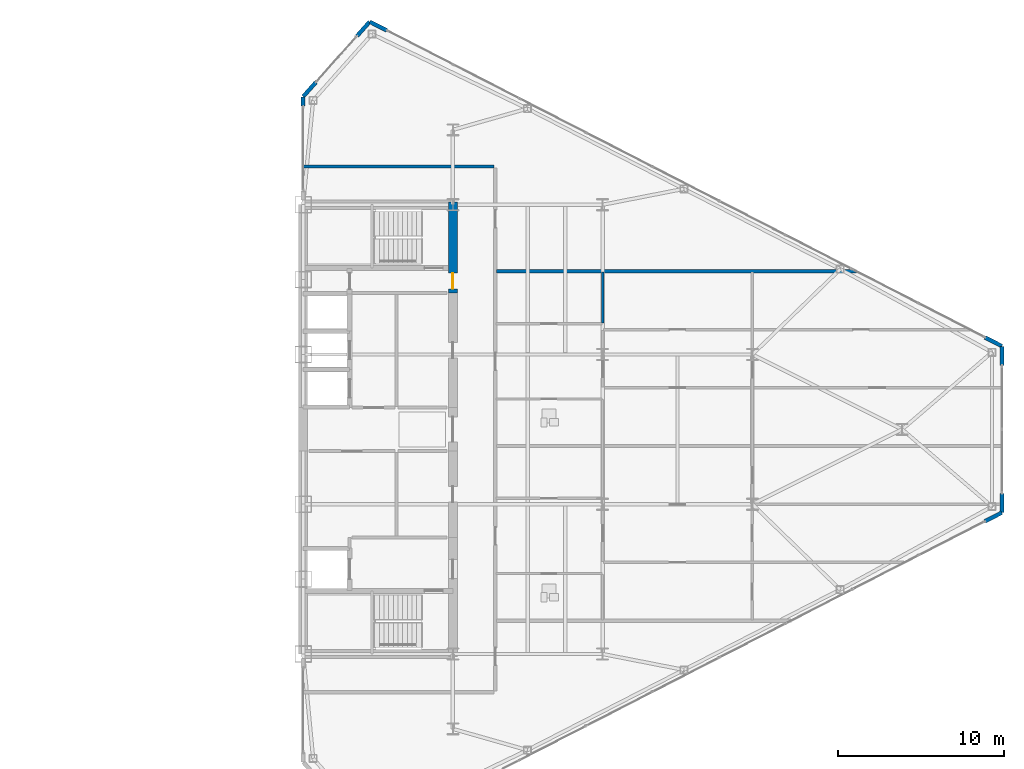
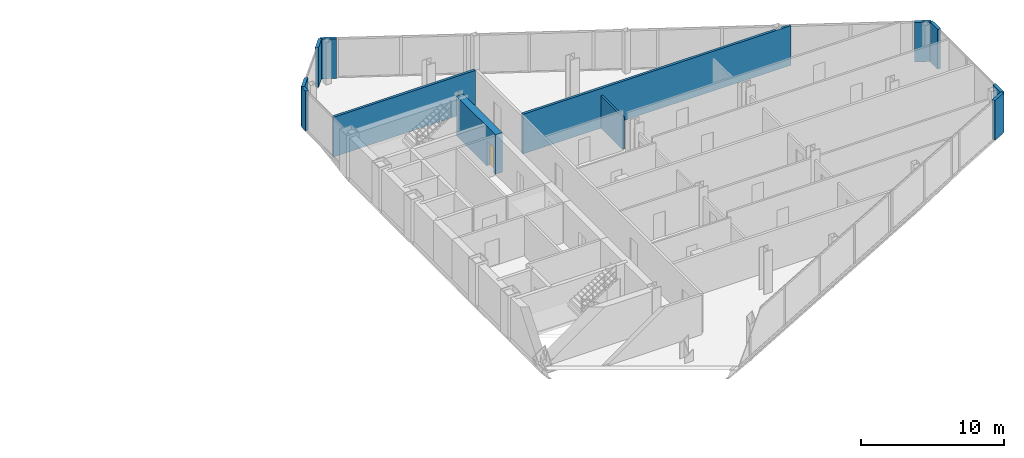
# One storey, part 20 of 23: 12 walls, 1 door, 1 opening.
"""IFC4 building model written with IfcOpenShell, lengths in metres."""

from ifc_helpers import new_model, si_unit, direction, frame, frame_2d, origin, place, context, subcontext, project, spatial, rectangle, extrude, source, transform, mapped, material, layer, layer_set, type_object, type_shapes, element, fill, save


model = new_model("IFC4")

# Units and contexts
model_context = context("Model", 3, precision=1e-05, world=origin(), true_north=direction((0.0, 1.0)))
body_context = subcontext(model_context, "Body", "Model", "MODEL_VIEW")
ifc_project = project(units=[si_unit("LENGTHUNIT", "METRE"), si_unit("AREAUNIT", "SQUARE_METRE"), si_unit("VOLUMEUNIT", "CUBIC_METRE"), si_unit("PLANEANGLEUNIT", "RADIAN"), si_unit("MASSUNIT", "GRAM", prefix="KILO")], contexts=[model_context])

# Site, building, storey
site_placement = place(None, origin())
site = spatial("IfcSite", under=ifc_project, at=site_placement, CompositionType="ELEMENT")
building_placement = place(site_placement, origin())
building = spatial("IfcBuilding", under=site, at=building_placement, Name="Seokmaru Belvedere", CompositionType="ELEMENT")
storey_placement = place(building_placement, frame((0.0, 0.0, 144.0)))
storey = spatial("IfcBuildingStorey", under=building, at=storey_placement, Name="L38", CompositionType="ELEMENT", Elevation=144.0)

# Walls
ifc_material_1 = material(Name="Fire-Rated Gypsum Shaftwall")
ifc_layer_1 = layer(ifc_material_1, 0.14990234375)
ifc_layer_set_1 = layer_set([ifc_layer_1], Name="Fire-Rated Gypsum Shaftwall")
wall_type_1 = type_object("IfcWallType", Name="Apartment Fire-Acoustic Room Partition 150", PredefinedType="PARTITIONING", material=ifc_layer_set_1)
wall_1_placement = place(storey_placement, frame((45.5, 6.402099609375, 0.0), z_axis=(0.0, 0.0, 1.0), x_axis=(0.0, 1.0, 0.0)))
element("IfcWall", 1, at=wall_1_placement, inside=storey, type_object=wall_type_1, Name="L38 Interior Partition 048", PredefinedType="PARTITIONING", context=body_context, shape_type="SweptSolid", body=[
    extrude(rectangle(XDim=3.0478515625, YDim=0.14990234375, at=frame_2d((1.52392578125, 0.0))), origin(), (0.0, 0.0, 1.0), 2.780029296875),
])
ifc_layer_2 = layer(ifc_material_1, 0.199951171875)
ifc_layer_set_2 = layer_set([ifc_layer_2], Name="Fire-Rated Gypsum Shaftwall")
wall_type_2 = type_object("IfcWallType", Name="Inter-Tenancy Fire Compartment Partition 200", PredefinedType="PARTITIONING", material=ifc_layer_set_2)
wall_2_placement = place(storey_placement, frame((39.1298828125, 9.5, 0.0), z_axis=(0.0, 0.0, 1.0), x_axis=(1.0, 0.0, 0.0)))
element("IfcWall", 2, at=wall_2_placement, inside=storey, type_object=wall_type_2, Name="L38 Interior Partition 026", PredefinedType="PARTITIONING", context=body_context, shape_type="SweptSolid", body=[
    extrude(rectangle(XDim=21.612060546875, YDim=0.199951171875, at=frame_2d((10.80615234375, 0.0))), origin(), (0.0, 0.0, 1.0), 3.3798828125),
])
wall_3_placement = place(storey_placement, frame((27.5, 15.800048828125, 0.0), z_axis=(0.0, 0.0, 1.0), x_axis=(1.0, 0.0, 0.0)))
element("IfcWall", 3, at=wall_3_placement, inside=storey, type_object=wall_type_2, Name="L38 Interior Partition 031", PredefinedType="PARTITIONING", context=body_context, shape_type="SweptSolid", body=[
    extrude(rectangle(XDim=11.465087890625, YDim=0.199951171875, at=frame_2d((5.732421875, 0.0))), origin(), (0.0, 0.0, 1.0), 3.3798828125),
])

# Wall, opening, door
ifc_material_2 = material(Name="Concrete C50 (50 MPa)", Category="concrete")
ifc_layer_3 = layer(ifc_material_2, 0.550048828125)
ifc_layer_set_3 = layer_set([ifc_layer_3], Name="Concrete C50 (50 MPa)")
wall_type_3 = type_object("IfcWallType", Name="Mid-High Reinforced Concrete Core Wall 550", PredefinedType="SHEAR", material=ifc_layer_set_3)
wall_4_placement = place(storey_placement, frame((36.5, 8.199951171875, 0.0), z_axis=(0.0, 0.0, 1.0), x_axis=(0.0, 1.0, 0.0)))
wall_4 = element("IfcWall", 4, at=wall_4_placement, inside=storey, type_object=wall_type_3, Name="L38 East West Core Wall VST", PredefinedType="SHEAR", context=body_context, shape_type="SweptSolid", body=[
    extrude(rectangle(XDim=5.449951171875, YDim=0.550048828125, at=frame_2d((2.72509765625, 0.0))), origin(), (0.0, 0.0, 1.0), 3.3798828125),
])
opening_placement = place(wall_4_placement, frame((0.2451171875, 0.0, 0.0)))
opening = element("IfcOpeningElement", 5, at=opening_placement, cuts=wall_4, Name="Opening D04", PredefinedType="OPENING", context=body_context, shape_type="SweptSolid", body=[
    extrude(rectangle(XDim=0.949951171875, YDim=2.14990234375, at=frame_2d((0.47509765625, 1.074951171875))), frame((0.0, 0.28515625, 0.0), z_axis=(0.0, -1.0, 0.0), x_axis=(1.0, 0.0, 0.0)), (0.0, 0.0, 1.0), 0.570068359375),
])
ifc_material_3 = material(Name="Fire-Rated Steel Leaf", Category="steel")
door_type = type_object("IfcDoorType", Name="Core Service Room Fire Door 950x2150", OperationType="NOTDEFINED", PredefinedType="DOOR", material=ifc_material_3)
shared_shape = source(origin(), body_context, "Body", "SweptSolid", [
    extrude(rectangle(XDim=0.949951171875, YDim=2.14990234375, at=frame_2d((0.47509765625, 1.074951171875))), frame((0.0, 0.02490234375, 0.0), z_axis=(0.0, -1.0, 0.0), x_axis=(1.0, 0.0, 0.0)), (0.0, 0.0, 1.0), 0.050048828125),
])
type_shapes(door_type, [shared_shape])
door_placement = place(opening_placement, origin())
door = element("IfcDoor", 6, at=door_placement, inside=storey, type_object=door_type, Name="L38 East Smokeproof Vestibule Door", OperationType="SINGLE_SWING_LEFT", OverallHeight=2.14990234375, OverallWidth=0.949951171875, PredefinedType="DOOR", context=body_context, shape_type="MappedRepresentation", body=[
    mapped(shared_shape, transform((0.0, 0.0, 0.0), scale=1.0)),
])
fill(opening, door)

# Walls
ifc_material_4 = material(Name="Anodised Bronze Aluminium", Category="aluminium")
ifc_layer_4 = layer(ifc_material_4, 0.239990234375)
ifc_layer_set_4 = layer_set([ifc_layer_4], Name="Anodised Bronze Aluminium")
wall_type_4 = type_object("IfcWallType", Name="Tower Corner Spandrel Closure Wall 240", PredefinedType="SOLIDWALL", material=ifc_layer_set_4)
wall_5_placement = place(storey_placement, frame((68.476806640625, -5.52490234375, 0.0), z_axis=(0.0, 0.0, 1.0), x_axis=(0.889797395748, 0.456355776255, 0.0)))
element("IfcWall", 7, at=wall_5_placement, inside=storey, type_object=wall_type_4, Name="L38 E Corner Closure Pier 1B", PredefinedType="SOLIDWALL", context=body_context, shape_type="SweptSolid", body=[
    extrude(rectangle(XDim=1.14013671875, YDim=0.239990234375, at=frame_2d((0.570068359375, 0.0))), origin(), (0.0, 0.0, 1.0), 3.3798828125),
])
for number, where, z_axis, x_axis, name in (
    (8, (69.5, -4.989990234375, 0.0), (0.0, 0.0, 1.0), (0.0, 1.0, 0.0), "L38 E Corner Closure Pier 2A"),
    (9, (69.5, 3.85009765625, 0.0), (0.0, 0.0, 1.0), (0.0, 1.0, 0.0), "L38 E Corner Closure Pier 2B"),
):
    element("IfcWall", number, at=place(storey_placement, frame(where, z_axis=z_axis, x_axis=x_axis)), inside=storey, type_object=wall_type_4, Name=name, PredefinedType="SOLIDWALL", context=body_context, shape_type="SweptSolid", body=[
        extrude(rectangle(XDim=1.139892578125, YDim=0.239990234375, at=frame_2d((0.56982421875, 0.0))), origin(), (0.0, 0.0, 1.0), 3.3798828125),
    ])
for number, where, z_axis, x_axis, name in (
    (10, (69.4912109375, 5.004638671875, 0.0), (0.0, 0.0, 1.0), (-0.889797395748, 0.456355776255, 0.0), "L38 E Corner Closure Pier 3A"),
    (11, (32.523193359375, 23.97509765625, 0.0), (0.0, 0.0, 1.0), (-0.889797395748, 0.456355776255, 0.0), "L38 E Corner Closure Pier 3B"),
):
    element("IfcWall", number, at=place(storey_placement, frame(where, z_axis=z_axis, x_axis=x_axis)), inside=storey, type_object=wall_type_4, Name=name, PredefinedType="SOLIDWALL", context=body_context, shape_type="SweptSolid", body=[
        extrude(rectangle(XDim=1.14013671875, YDim=0.239990234375, at=frame_2d((0.570068359375, 0.0))), origin(), (0.0, 0.0, 1.0), 3.3798828125),
    ])
for number, where, z_axis, x_axis, name in (
    (12, (31.493408203125, 24.492431640625, 0.0), (0.0, 0.0, 1.0), (-0.664337252513, -0.747432950119, 0.0), "L38 E Corner Closure Pier 4A"),
    (13, (28.263916015625, 20.859619140625, 0.0), (0.0, 0.0, 1.0), (-0.664337252513, -0.747432950119, 0.0), "L38 E Corner Closure Pier 4B"),
):
    element("IfcWall", number, at=place(storey_placement, frame(where, z_axis=z_axis, x_axis=x_axis)), inside=storey, type_object=wall_type_4, Name=name, PredefinedType="SOLIDWALL", context=body_context, shape_type="SweptSolid", body=[
        extrude(rectangle(XDim=1.139892578125, YDim=0.239990234375, at=frame_2d((0.56982421875, 0.0))), origin(), (0.0, 0.0, 1.0), 3.3798828125),
    ])
wall_6_placement = place(storey_placement, frame((27.5, 19.429931640625, 0.0), z_axis=(0.0, 0.0, 1.0), x_axis=(0.0, 1.0, 0.0)))
element("IfcWall", 14, at=wall_6_placement, inside=storey, type_object=wall_type_4, Name="L38 E Spine Closure Pier 2B", PredefinedType="SOLIDWALL", context=body_context, shape_type="SweptSolid", body=[
    extrude(rectangle(XDim=0.550048828125, YDim=0.239990234375, at=frame_2d((0.27490234375, 0.0))), origin(), (0.0, 0.0, 1.0), 3.3798828125),
])

save(model, "model.ifc")
